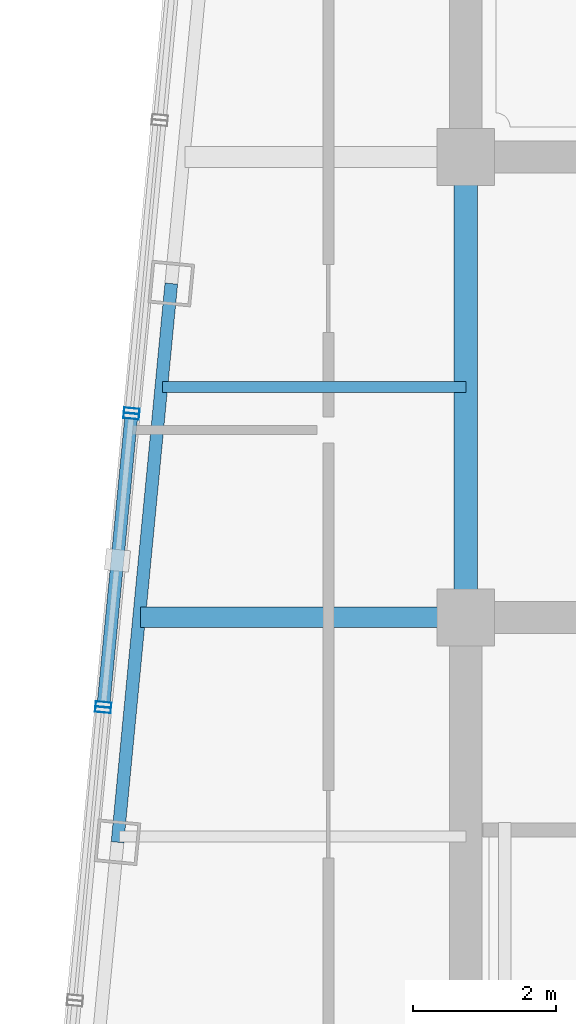
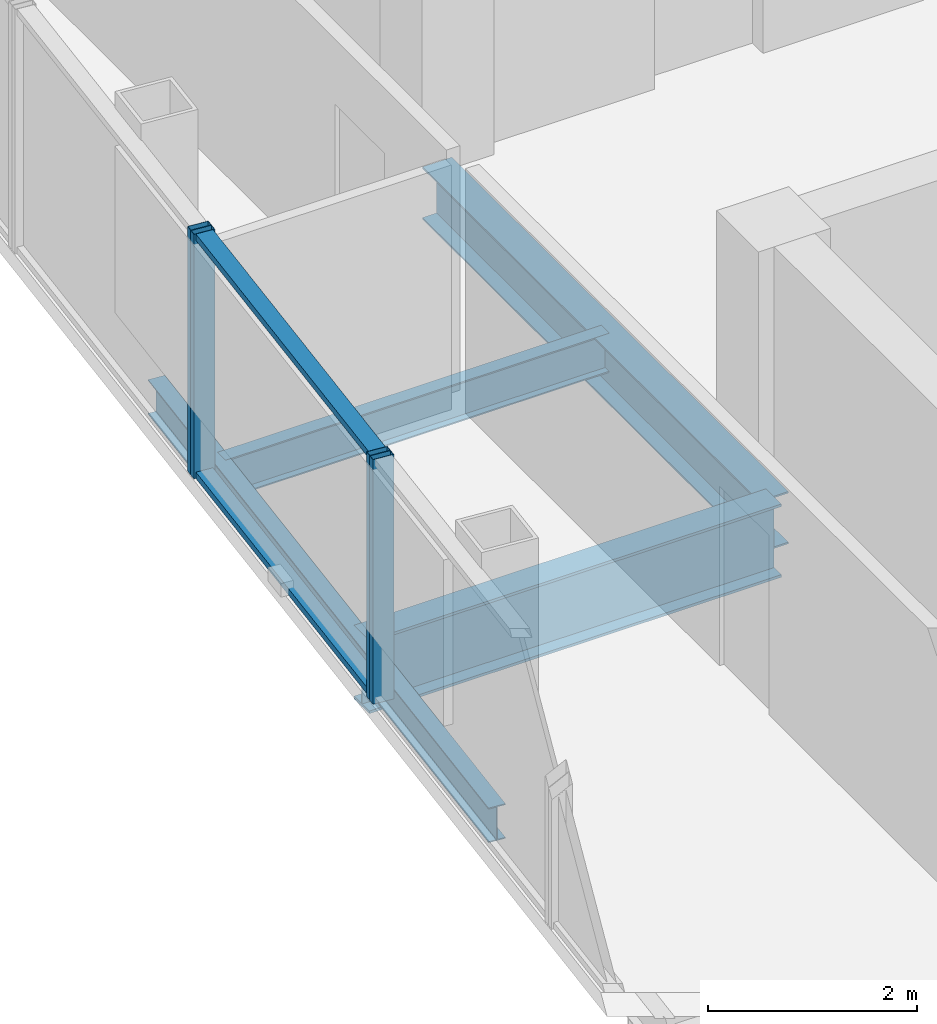
# One storey, part 7 of 22: 6 members, 4 beams, 3 elements without a shape of their own.
"""IFC4 building model written with IfcOpenShell, lengths in metres."""

import ifcopenshell
import ifcopenshell.guid

model = None  # the IFC model being written
_history = None  # IfcOwnerHistory: only IFC2X3 demands one
_inside = {}  # id of a spatial element -> (the spatial element, [elements in it])
_under = {}  # id of a project, library or spatial element -> (it, [spatial elements below it])
_declared = {}  # id of a project -> (the project, [libraries it declares])
_typed = {}  # id of a type object -> (the type object, [elements of that type])
_made_of = {}  # id of a material, layer set ... -> (it, [elements and type objects made of it])


def new_model(schema):
    """Start an empty IFC model of exactly this schema.

    Asked for "IFC4X3", IfcOpenShell would pick the latest addendum, in which some entities
    have other attributes; the version numbers below select the first issue.
    IFC2X3 requires an IfcOwnerHistory on every rooted entity: one is made here for all.
    """
    global model, _history
    if schema == "IFC4X3":
        model = ifcopenshell.file(schema_version=(4, 3, 0, 0))
    else:
        model = ifcopenshell.file(schema=schema)
    _inside.clear()
    _under.clear()
    _declared.clear()
    _typed.clear()
    _made_of.clear()
    _history = None
    if model.schema == "IFC2X3":
        org = make("IfcOrganization", Name="unknown")
        user = make(
            "IfcPersonAndOrganization",
            ThePerson=make("IfcPerson", FamilyName="unknown"),
            TheOrganization=org,
        )
        app = make(
            "IfcApplication",
            ApplicationDeveloper=org,
            Version="unknown",
            ApplicationFullName="unknown",
            ApplicationIdentifier="unknown",
        )
        _history = make(
            "IfcOwnerHistory",
            OwningUser=user,
            OwningApplication=app,
            ChangeAction="ADDED",
            CreationDate=0,
        )
    return model


def make(cls, **values):
    """One entity of the class cls with the attributes given. An attribute that is None is left unset."""
    return model.create_entity(
        cls, **{name: value for name, value in values.items() if value is not None}
    )


def rooted(cls, **values):
    """An entity with a GlobalId (a new one), such as an element, a storey or a relation."""
    return make(cls, GlobalId=ifcopenshell.guid.new(), OwnerHistory=_history, **values)


def si_unit(unit_type, name, prefix=None):
    """IfcSIUnit, for example si_unit("LENGTHUNIT", "METRE", prefix="MILLI")."""
    return make("IfcSIUnit", UnitType=unit_type, Prefix=prefix, Name=name)


def assignment(units):
    """IfcUnitAssignment: the units of a project."""
    return None if units is None else make("IfcUnitAssignment", Units=units)


def point(xyz):
    """IfcCartesianPoint."""
    return None if xyz is None else make("IfcCartesianPoint", Coordinates=xyz)


def direction(xyz):
    """IfcDirection."""
    return None if xyz is None else make("IfcDirection", DirectionRatios=xyz)


def frame(location, z_axis=None, x_axis=None):
    """IfcAxis2Placement3D, a coordinate frame: its origin and axes. An axis left out is left unset."""
    return make(
        "IfcAxis2Placement3D",
        Location=point(location),
        Axis=direction(z_axis),
        RefDirection=direction(x_axis),
    )


def frame_2d(location, x_axis=None):
    """IfcAxis2Placement2D, a coordinate frame in the plane: its origin and x axis."""
    return make(
        "IfcAxis2Placement2D", Location=point(location), RefDirection=direction(x_axis)
    )


def origin():
    """The frame at (0, 0, 0) with its axes left unset."""
    return frame((0.0, 0.0, 0.0))


def origin_2d():
    """The frame at (0, 0) in the plane with its x axis left unset."""
    return frame_2d((0.0, 0.0))


def place(relative_to, where):
    """IfcLocalPlacement: puts the frame where relative to a parent placement (None: the world)."""
    return make(
        "IfcLocalPlacement", PlacementRelTo=relative_to, RelativePlacement=where
    )


def context(
    kind, dimensions, precision=None, world=None, true_north=None, identifier=None
):
    """IfcGeometricRepresentationContext, for example the 3D "Model" context."""
    return make(
        "IfcGeometricRepresentationContext",
        ContextIdentifier=identifier,
        ContextType=kind,
        CoordinateSpaceDimension=dimensions,
        Precision=precision,
        WorldCoordinateSystem=world,
        TrueNorth=true_north,
    )


def subcontext(parent, identifier, kind, view, scale=None):
    """IfcGeometricRepresentationSubContext, for example "Body" below "Model"."""
    return make(
        "IfcGeometricRepresentationSubContext",
        ContextIdentifier=identifier,
        ContextType=kind,
        ParentContext=parent,
        TargetScale=scale,
        TargetView=view,
    )


def project(units=None, contexts=None):
    """IfcProject with its units and contexts."""
    return rooted(
        "IfcProject",
        Name="project",
        RepresentationContexts=contexts,
        UnitsInContext=assignment(units),
    )


def spatial(cls, under=None, at=None, **own):
    """A site, building, storey or space (cls), placed at a placement, below another one or the project."""
    s = rooted(cls, ObjectPlacement=at, **own)
    if under is not None:
        _under.setdefault(under.id(), (under, []))[1].append(s)
    return s


def profile(cls, at=None, kind="AREA", **sizes):
    """A parametric profile (cls). Its sizes go by their IFC names, for example OverallWidth=200.0."""
    return make(cls, ProfileType=kind, Position=at, **sizes)


def hollow_rectangle(**sizes):
    """IfcRectangleHollowProfileDef."""
    return profile("IfcRectangleHollowProfileDef", **sizes)


def i_section(**sizes):
    """IfcIShapeProfileDef."""
    return profile("IfcIShapeProfileDef", **sizes)


def extrude(swept, where, along, depth):
    """IfcExtrudedAreaSolid: the profile swept, set in the frame where, extruded along a direction by depth."""
    return make(
        "IfcExtrudedAreaSolid",
        SweptArea=swept,
        Position=where,
        ExtrudedDirection=direction(along),
        Depth=depth,
    )


def shape(context_of_items, identifier, shape_type, items):
    """IfcShapeRepresentation: the items that make up one representation, for example the "Body"."""
    return make(
        "IfcShapeRepresentation",
        ContextOfItems=context_of_items,
        RepresentationIdentifier=identifier,
        RepresentationType=shape_type,
        Items=items,
    )


def material(Name=None, Category=None):
    """IfcMaterial."""
    return make("IfcMaterial", Name=Name, Category=Category)


def layer(
    of_material, thickness, ventilated=None, Name=None, Category=None, Priority=None
):
    """IfcMaterialLayer: one layer of a wall or slab, of a material (None: an air gap)."""
    return make(
        "IfcMaterialLayer",
        Material=of_material,
        LayerThickness=thickness,
        IsVentilated=ventilated,
        Name=Name,
        Category=Category,
        Priority=Priority,
    )


def layer_set(layers, Name=None):
    """IfcMaterialLayerSet."""
    return make("IfcMaterialLayerSet", MaterialLayers=layers, LayerSetName=Name)


def material_profile(
    of_material, cross_section, Name=None, Category=None, Priority=None
):
    """IfcMaterialProfile: a cross section and its material."""
    return make(
        "IfcMaterialProfile",
        Name=Name,
        Material=of_material,
        Profile=cross_section,
        Priority=Priority,
        Category=Category,
    )


def profile_set(profiles, Name=None, composite=None):
    """IfcMaterialProfileSet."""
    return make(
        "IfcMaterialProfileSet",
        Name=Name,
        MaterialProfiles=profiles,
        CompositeProfile=composite,
    )


def made_of(thing, what):
    """Note that an element or type object is made of a material, layer set ...; save() writes the relation."""
    if what is not None:
        _made_of.setdefault(what.id(), (what, []))[1].append(thing)
    return thing


def type_object(cls, material=None, **own):
    """A type object (cls), such as IfcWallType, which elements share."""
    return made_of(rooted(cls, **own), material)


def element(
    cls,
    number,
    at=None,
    inside=None,
    cuts=None,
    type_object=None,
    material=None,
    context=None,
    identifier="Body",
    shape_type=None,
    held_by="IfcProductDefinitionShape",
    body=None,
    shapes=None,
    **own,
):
    """One element of the class cls, such as IfcWall. Its Tag is "e" and its number.

    at: its placement. inside: the storey or other place that contains it. cuts: it is an
    opening in that element (IfcRelVoidsElement). A single representation is given by context,
    identifier, shape_type and body (its items); several are given by shapes. held_by: the class
    of the entity that holds the representations. save() writes the other relations.
    """
    e = rooted(cls, Tag="e%d" % number, ObjectPlacement=at, **own)
    if body is not None:
        shapes = [shape(context, identifier, shape_type, body)]
    if shapes is not None:
        e.Representation = make(held_by, Representations=shapes)
    if inside is not None:
        _inside.setdefault(inside.id(), (inside, []))[1].append(e)
    if cuts is not None:
        rooted(
            "IfcRelVoidsElement", RelatingBuildingElement=cuts, RelatedOpeningElement=e
        )
    if type_object is not None:
        _typed.setdefault(type_object.id(), (type_object, []))[1].append(e)
    return made_of(e, material)


def aggregate(whole, parts):
    """IfcRelAggregates: a whole, such as a stair, and the parts it consists of."""
    return rooted("IfcRelAggregates", RelatingObject=whole, RelatedObjects=parts)


def save(model, path):
    """Write the relations noted so far, then the file.

    IfcRelAggregates (storeys below a building ...), IfcRelContainedInSpatialStructure (elements
    in a storey), IfcRelDefinesByType, IfcRelAssociatesMaterial and IfcRelDeclares: one each for
    every whole, place, type object, material and project.
    """
    for whole, parts in _under.values():
        aggregate(whole, parts)
    for where, things in _inside.values():
        rooted(
            "IfcRelContainedInSpatialStructure",
            RelatedElements=things,
            RelatingStructure=where,
        )
    for kind, things in _typed.values():
        rooted("IfcRelDefinesByType", RelatedObjects=things, RelatingType=kind)
    for what, things in _made_of.values():
        rooted("IfcRelAssociatesMaterial", RelatedObjects=things, RelatingMaterial=what)
    for by, libraries in _declared.values():
        rooted("IfcRelDeclares", RelatingContext=by, RelatedDefinitions=libraries)
    model.write(path)


model = new_model("IFC4")

# Units and contexts
model_context = context("Model", 3, precision=1e-05, world=origin(), true_north=direction((0.0, 1.0)))
body_context = subcontext(model_context, "Body", "Model", "MODEL_VIEW")
ifc_project = project(units=[si_unit("LENGTHUNIT", "METRE"), si_unit("AREAUNIT", "SQUARE_METRE"), si_unit("VOLUMEUNIT", "CUBIC_METRE"), si_unit("PLANEANGLEUNIT", "RADIAN"), si_unit("MASSUNIT", "GRAM", prefix="KILO")], contexts=[model_context])

# Site, building, storey
site_placement = place(None, origin())
site = spatial("IfcSite", under=ifc_project, at=site_placement, CompositionType="ELEMENT")
building_placement = place(site_placement, origin())
building = spatial("IfcBuilding", under=site, at=building_placement, Name="Qhalaya Broadcast Tower", CompositionType="ELEMENT")
storey_placement = place(building_placement, frame((0.0, 0.0, 252.0)))
storey = spatial("IfcBuildingStorey", under=building, at=storey_placement, Name="L74", CompositionType="ELEMENT", Elevation=252.0)

# Beams
ifc_material_1 = material(Name="Structural Steel ASTM A992 Grade 50", Category="steel")
ifc_material_profile_1 = material_profile(ifc_material_1, i_section(OverallWidth=0.154052734375, OverallDepth=0.458984375, WebThickness=0.009033203125, FlangeThickness=0.015380859375, at=origin_2d()), Name="W18X46")
ifc_profile_set_1 = profile_set([ifc_material_profile_1], Name="Structural Steel ASTM A992 Grade 50")
beam_type_1 = type_object("IfcBeamType", Name="Composite Floor Joist J04", PredefinedType="JOIST", material=ifc_profile_set_1)
beam_1_placement = place(storey_placement, frame((-13.622314453125, 0.60009765625, -0.41943359375), z_axis=(1.0, 0.0, 0.0), x_axis=(0.0, 1.0, 0.0)))
element("IfcBeam", 1, at=beam_1_placement, inside=storey, type_object=beam_type_1, Name="L74 J04 L74-JWE4W-1", PredefinedType="JOIST", context=body_context, shape_type="SweptSolid", body=[
    extrude(i_section(OverallWidth=0.154052734375, OverallDepth=0.458984375, WebThickness=0.009033203125, FlangeThickness=0.015380859375, at=origin_2d()), origin(), (0.0, 0.0, 1.0), 4.247314453125),
])
ifc_material_profile_2 = material_profile(ifc_material_1, i_section(OverallWidth=0.323974609375, OverallDepth=0.612060546875, WebThickness=0.0126953125, FlangeThickness=0.01904296875, at=origin_2d()), Name="W24X104")
ifc_profile_set_2 = profile_set([ifc_material_profile_2], Name="Structural Steel ASTM A992 Grade 50")
beam_type_2 = type_object("IfcBeamType", Name="Core Frame Tie Beam B04", PredefinedType="BEAM", material=ifc_profile_set_2)
beam_2_placement = place(storey_placement, frame((-9.375, -2.625, -0.49609375), z_axis=(0.0, 1.0, 0.0), x_axis=(-1.0, 0.0, 0.0)))
element("IfcBeam", 2, at=beam_2_placement, inside=storey, type_object=beam_type_2, Name="L74 B04 L74-CCW", PredefinedType="BEAM", context=body_context, shape_type="SweptSolid", body=[
    extrude(i_section(OverallWidth=0.323974609375, OverallDepth=0.612060546875, WebThickness=0.0126953125, FlangeThickness=0.01904296875, at=origin_2d()), origin(), (0.0, 0.0, 1.0), 6.449951171875),
])

# Curtain wall, member
ifc_material_2 = material(Name="Solar-Control Low-E Triple Glazing", Category="glass")
ifc_layer_1 = layer(ifc_material_2, 0.219970703125, Name="Solar-Control Low-E Triple Glazing")
ifc_layer_set_1 = layer_set([ifc_layer_1], Name="Solar-Control Low-E Triple Glazing")
curtain_wall_type_1 = type_object("IfcCurtainWallType", Name="High-Altitude Upper-Shaft Triple Low-E Curtain Wall CW-04", PredefinedType="NOTDEFINED", material=ifc_layer_set_1)
curtain_wall_1_placement = place(storey_placement, origin())
curtain_wall_1 = element("IfcCurtainWall", 3, at=curtain_wall_1_placement, inside=storey, type_object=curtain_wall_type_1, Name="L74 Unitised Curtain Wall L74-CW-W2", PredefinedType="NOTDEFINED")
ifc_material_3 = material(Name="Anodised Aluminium 6063-T6", Category="aluminium")
ifc_material_profile_3 = material_profile(ifc_material_3, hollow_rectangle(XDim=0.074951171875, YDim=0.219970703125, WallThickness=0.00390625, at=origin_2d()), Name="ALU-MUL 75x220x4")
ifc_profile_set_3 = profile_set([ifc_material_profile_3], Name="Anodised Aluminium 6063-T6")
member_type_1 = type_object("IfcMemberType", Name="Unitised Curtain-Wall Mullion M01", PredefinedType="MULLION", material=ifc_profile_set_3)
member_1_placement = place(storey_placement, frame((-14.055908203125, 0.26953125, 0.0), z_axis=(0.0, 0.0, 1.0), x_axis=(-0.095859120729, -0.995394911064, 0.0)))
member_1 = element("IfcMember", 4, at=member_1_placement, type_object=member_type_1, Name="CW-04 mullion 2", PredefinedType="MULLION", context=body_context, shape_type="SweptSolid", body=[
    extrude(hollow_rectangle(XDim=0.074951171875, YDim=0.219970703125, WallThickness=0.00390625, at=origin_2d()), origin(), (0.0, 0.0, 1.0), 2.860107421875),
])
aggregate(curtain_wall_1, [member_1])

# Curtain wall, members
ifc_material_4 = material(Name="Fired Architectural Terracotta", Category="masonry")
ifc_layer_2 = layer(ifc_material_4, 0.219970703125, Name="Fired Architectural Terracotta")
ifc_layer_set_2 = layer_set([ifc_layer_2], Name="Fired Architectural Terracotta")
curtain_wall_type_2 = type_object("IfcCurtainWallType", Name="Block-Cap Unitised Terracotta Spandrel Wall CW-07", PredefinedType="NOTDEFINED", material=ifc_layer_set_2)
curtain_wall_2_placement = place(storey_placement, origin())
curtain_wall_2 = element("IfcCurtainWall", 5, at=curtain_wall_2_placement, inside=storey, type_object=curtain_wall_type_2, Name="L74 Unitised Curtain Wall L74-CW-W3", PredefinedType="NOTDEFINED")
member_2_placement = place(storey_placement, frame((-14.06298828125, 0.19482421875, 0.0), z_axis=(0.0, 0.0, 1.0), x_axis=(-0.095842786142, -0.995396483992, 0.0)))
member_2 = element("IfcMember", 6, at=member_2_placement, type_object=member_type_1, Name="CW-07 mullion 1", PredefinedType="MULLION", context=body_context, shape_type="SweptSolid", body=[
    extrude(hollow_rectangle(XDim=0.074951171875, YDim=0.219970703125, WallThickness=0.00390625, at=origin_2d()), origin(), (0.0, 0.0, 1.0), 2.860107421875),
])
member_3_placement = place(storey_placement, frame((-14.452392578125, -3.847412109375, 0.0), z_axis=(0.0, 0.0, 1.0), x_axis=(-0.095842786142, -0.995396483992, 0.0)))
member_3 = element("IfcMember", 7, at=member_3_placement, type_object=member_type_1, Name="CW-07 mullion 2", PredefinedType="MULLION", context=body_context, shape_type="SweptSolid", body=[
    extrude(hollow_rectangle(XDim=0.074951171875, YDim=0.219970703125, WallThickness=0.00390625, at=origin_2d()), origin(), (0.0, 0.0, 1.0), 2.860107421875),
])

# Curtain wall, member
curtain_wall_3_placement = place(storey_placement, origin())
curtain_wall_3 = element("IfcCurtainWall", 8, at=curtain_wall_3_placement, inside=storey, type_object=curtain_wall_type_1, Name="L74 Unitised Curtain Wall L74-CW-W4", PredefinedType="NOTDEFINED")
member_4_placement = place(storey_placement, frame((-14.45947265625, -3.922119140625, 0.0), z_axis=(0.0, 0.0, 1.0), x_axis=(-0.095859120729, -0.995394911064, 0.0)))
member_4 = element("IfcMember", 9, at=member_4_placement, type_object=member_type_1, Name="CW-04 mullion 1", PredefinedType="MULLION", context=body_context, shape_type="SweptSolid", body=[
    extrude(hollow_rectangle(XDim=0.074951171875, YDim=0.219970703125, WallThickness=0.00390625, at=origin_2d()), origin(), (0.0, 0.0, 1.0), 2.860107421875),
])
aggregate(curtain_wall_3, [member_4])

# Member
ifc_material_profile_4 = material_profile(ifc_material_3, hollow_rectangle(XDim=0.074951171875, YDim=0.179931640625, WallThickness=0.00390625, at=origin_2d()), Name="ALU-TRN 75x180x4")
ifc_profile_set_4 = profile_set([ifc_material_profile_4], Name="Anodised Aluminium 6063-T6")
member_type_2 = type_object("IfcMemberType", Name="Unitised Curtain-Wall Transom T01", PredefinedType="USERDEFINED", material=ifc_profile_set_4)
member_5_placement = place(storey_placement, frame((-14.066650390625, 0.157470703125, 0.03759765625), z_axis=(-0.095858295501, -0.995394990536, 0.0), x_axis=(0.0, 0.0, 1.0)))
member_5 = element("IfcMember", 10, at=member_5_placement, type_object=member_type_2, Name="CW-07 transom 1.1", ObjectType="TRANSOM", PredefinedType="USERDEFINED", context=body_context, shape_type="SweptSolid", body=[
    extrude(hollow_rectangle(XDim=0.074951171875, YDim=0.179931640625, WallThickness=0.00390625, at=origin_2d()), origin(), (0.0, 0.0, 1.0), 3.98583984375),
])

member_6_placement = place(storey_placement, frame((-14.066650390625, 0.157470703125, 2.822509765625), z_axis=(-0.095858295501, -0.995394990536, 0.0), x_axis=(0.0, 0.0, 1.0)))
member_6 = element("IfcMember", 11, at=member_6_placement, type_object=member_type_2, Name="CW-07 transom 1.2", ObjectType="TRANSOM", PredefinedType="USERDEFINED", context=body_context, shape_type="SweptSolid", body=[
    extrude(hollow_rectangle(XDim=0.074951171875, YDim=0.179931640625, WallThickness=0.00390625, at=origin_2d()), origin(), (0.0, 0.0, 1.0), 3.98583984375),
])

aggregate(curtain_wall_2, [member_2, member_3, member_5, member_6])

# Beams
ifc_material_profile_5 = material_profile(ifc_material_1, i_section(OverallWidth=0.2919921875, OverallDepth=0.85888671875, WebThickness=0.01708984375, FlangeThickness=0.031005859375, at=origin_2d()), Name="W33X169")
ifc_profile_set_5 = profile_set([ifc_material_profile_5], Name="Structural Steel ASTM A992 Grade 50")
beam_type_3 = type_object("IfcBeamType", Name="Upper Block Primary Girder PG4", PredefinedType="USERDEFINED", material=ifc_profile_set_5)
beam_3_placement = place(storey_placement, frame((-13.9326171875, -2.625, -0.619384765625), z_axis=(1.0, 0.0, 0.0), x_axis=(0.0, 1.0, 0.0)))
element("IfcBeam", 12, at=beam_3_placement, inside=storey, type_object=beam_type_3, Name="L74 PG4 L74-PGYW2-1", ObjectType="GIRDER", PredefinedType="USERDEFINED", context=body_context, shape_type="SweptSolid", body=[
    extrude(i_section(OverallWidth=0.2919921875, OverallDepth=0.85888671875, WebThickness=0.01708984375, FlangeThickness=0.031005859375, at=origin_2d()), origin(), (0.0, 0.0, 1.0), 4.5576171875),
])
ifc_material_profile_6 = material_profile(ifc_material_1, i_section(OverallWidth=0.177978515625, OverallDepth=0.406005859375, WebThickness=0.0078125, FlangeThickness=0.0126953125, at=origin_2d()), Name="W16X40")
ifc_profile_set_6 = profile_set([ifc_material_profile_6], Name="Structural Steel ASTM A992 Grade 50")
beam_type_4 = type_object("IfcBeamType", Name="Upper Perimeter Spandrel Beam SP2", PredefinedType="SPANDREL", material=ifc_profile_set_6)
beam_4_placement = place(storey_placement, frame((-13.50244140625, 2.052490234375, -0.39306640625), z_axis=(-0.095837184179, -0.995397023367, 0.0), x_axis=(0.995397023367, -0.095837184179, 0.0)))
element("IfcBeam", 13, at=beam_4_placement, inside=storey, type_object=beam_type_4, Name="L74 SP2 L74-SPR-14", PredefinedType="SPANDREL", context=body_context, shape_type="SweptSolid", body=[
    extrude(i_section(OverallWidth=0.177978515625, OverallDepth=0.406005859375, WebThickness=0.0078125, FlangeThickness=0.0126953125, at=origin_2d()), origin(), (0.0, 0.0, 1.0), 7.866455078125),
])

save(model, "model.ifc")
